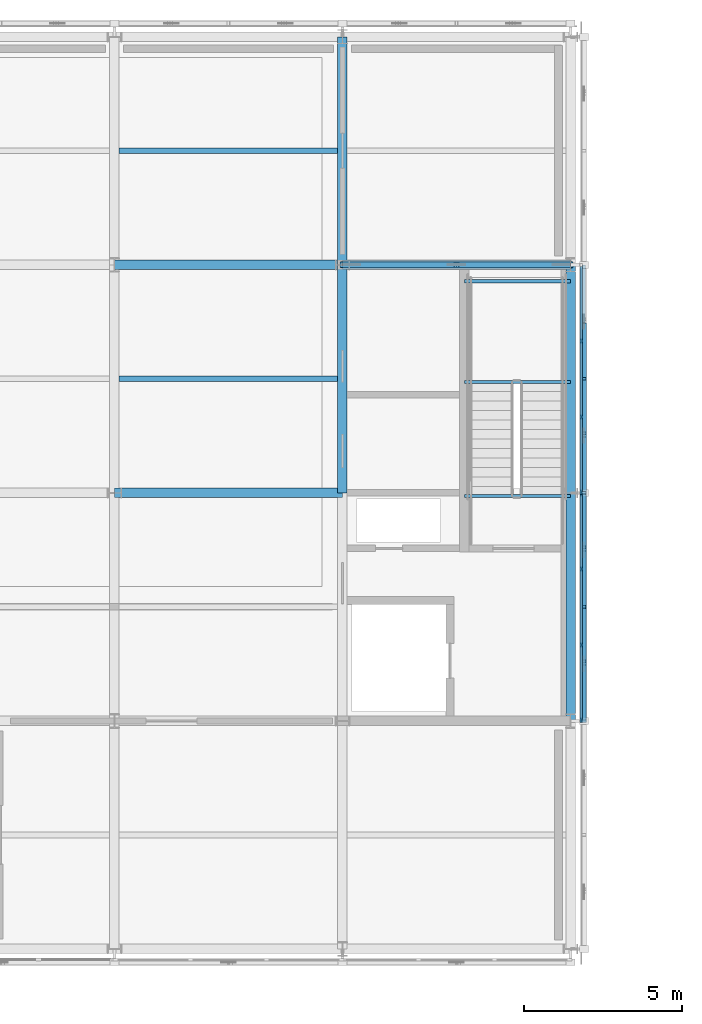
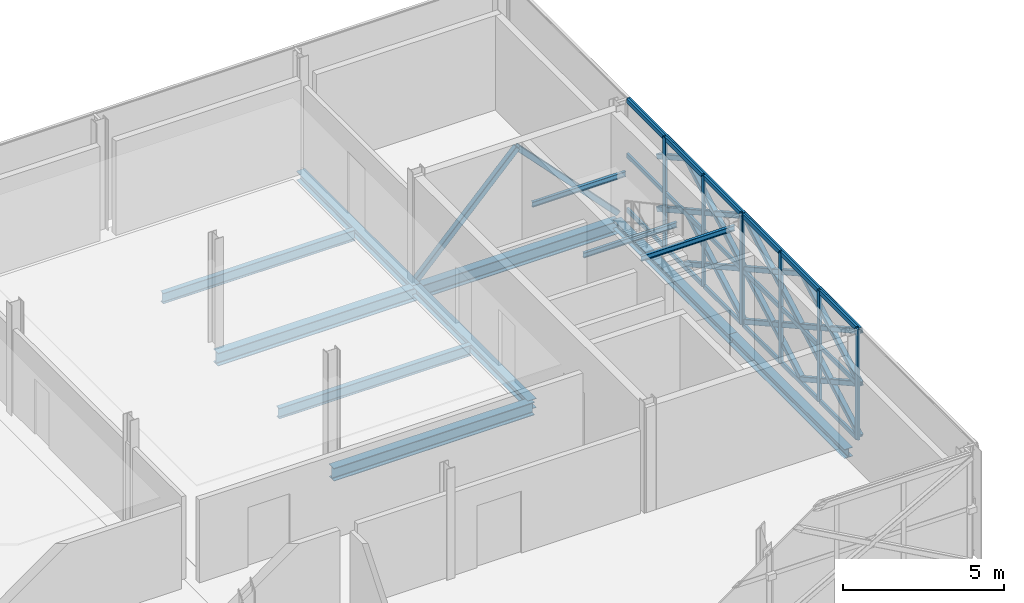
# One storey, part 65 of 146: 49 members, 12 beams, 2 elements without a shape of their own.
"""IFC4 building model written with IfcOpenShell, lengths in metres."""

import ifcopenshell
import ifcopenshell.guid

model = None  # the IFC model being written
_history = None  # IfcOwnerHistory: only IFC2X3 demands one
_inside = {}  # id of a spatial element -> (the spatial element, [elements in it])
_under = {}  # id of a project, library or spatial element -> (it, [spatial elements below it])
_declared = {}  # id of a project -> (the project, [libraries it declares])
_typed = {}  # id of a type object -> (the type object, [elements of that type])
_made_of = {}  # id of a material, layer set ... -> (it, [elements and type objects made of it])


def new_model(schema):
    """Start an empty IFC model of exactly this schema.

    Asked for "IFC4X3", IfcOpenShell would pick the latest addendum, in which some entities
    have other attributes; the version numbers below select the first issue.
    IFC2X3 requires an IfcOwnerHistory on every rooted entity: one is made here for all.
    """
    global model, _history
    if schema == "IFC4X3":
        model = ifcopenshell.file(schema_version=(4, 3, 0, 0))
    else:
        model = ifcopenshell.file(schema=schema)
    _inside.clear()
    _under.clear()
    _declared.clear()
    _typed.clear()
    _made_of.clear()
    _history = None
    if model.schema == "IFC2X3":
        org = make("IfcOrganization", Name="unknown")
        user = make(
            "IfcPersonAndOrganization",
            ThePerson=make("IfcPerson", FamilyName="unknown"),
            TheOrganization=org,
        )
        app = make(
            "IfcApplication",
            ApplicationDeveloper=org,
            Version="unknown",
            ApplicationFullName="unknown",
            ApplicationIdentifier="unknown",
        )
        _history = make(
            "IfcOwnerHistory",
            OwningUser=user,
            OwningApplication=app,
            ChangeAction="ADDED",
            CreationDate=0,
        )
    return model


def make(cls, **values):
    """One entity of the class cls with the attributes given. An attribute that is None is left unset."""
    return model.create_entity(
        cls, **{name: value for name, value in values.items() if value is not None}
    )


def rooted(cls, **values):
    """An entity with a GlobalId (a new one), such as an element, a storey or a relation."""
    return make(cls, GlobalId=ifcopenshell.guid.new(), OwnerHistory=_history, **values)


def si_unit(unit_type, name, prefix=None):
    """IfcSIUnit, for example si_unit("LENGTHUNIT", "METRE", prefix="MILLI")."""
    return make("IfcSIUnit", UnitType=unit_type, Prefix=prefix, Name=name)


def assignment(units):
    """IfcUnitAssignment: the units of a project."""
    return None if units is None else make("IfcUnitAssignment", Units=units)


def point(xyz):
    """IfcCartesianPoint."""
    return None if xyz is None else make("IfcCartesianPoint", Coordinates=xyz)


def direction(xyz):
    """IfcDirection."""
    return None if xyz is None else make("IfcDirection", DirectionRatios=xyz)


def frame(location, z_axis=None, x_axis=None):
    """IfcAxis2Placement3D, a coordinate frame: its origin and axes. An axis left out is left unset."""
    return make(
        "IfcAxis2Placement3D",
        Location=point(location),
        Axis=direction(z_axis),
        RefDirection=direction(x_axis),
    )


def frame_2d(location, x_axis=None):
    """IfcAxis2Placement2D, a coordinate frame in the plane: its origin and x axis."""
    return make(
        "IfcAxis2Placement2D", Location=point(location), RefDirection=direction(x_axis)
    )


def origin():
    """The frame at (0, 0, 0) with its axes left unset."""
    return frame((0.0, 0.0, 0.0))


def origin_2d():
    """The frame at (0, 0) in the plane with its x axis left unset."""
    return frame_2d((0.0, 0.0))


def place(relative_to, where):
    """IfcLocalPlacement: puts the frame where relative to a parent placement (None: the world)."""
    return make(
        "IfcLocalPlacement", PlacementRelTo=relative_to, RelativePlacement=where
    )


def context(
    kind, dimensions, precision=None, world=None, true_north=None, identifier=None
):
    """IfcGeometricRepresentationContext, for example the 3D "Model" context."""
    return make(
        "IfcGeometricRepresentationContext",
        ContextIdentifier=identifier,
        ContextType=kind,
        CoordinateSpaceDimension=dimensions,
        Precision=precision,
        WorldCoordinateSystem=world,
        TrueNorth=true_north,
    )


def subcontext(parent, identifier, kind, view, scale=None):
    """IfcGeometricRepresentationSubContext, for example "Body" below "Model"."""
    return make(
        "IfcGeometricRepresentationSubContext",
        ContextIdentifier=identifier,
        ContextType=kind,
        ParentContext=parent,
        TargetScale=scale,
        TargetView=view,
    )


def project(units=None, contexts=None):
    """IfcProject with its units and contexts."""
    return rooted(
        "IfcProject",
        Name="project",
        RepresentationContexts=contexts,
        UnitsInContext=assignment(units),
    )


def spatial(cls, under=None, at=None, **own):
    """A site, building, storey or space (cls), placed at a placement, below another one or the project."""
    s = rooted(cls, ObjectPlacement=at, **own)
    if under is not None:
        _under.setdefault(under.id(), (under, []))[1].append(s)
    return s


def profile(cls, at=None, kind="AREA", **sizes):
    """A parametric profile (cls). Its sizes go by their IFC names, for example OverallWidth=200.0."""
    return make(cls, ProfileType=kind, Position=at, **sizes)


def rectangle(**sizes):
    """IfcRectangleProfileDef."""
    return profile("IfcRectangleProfileDef", **sizes)


def hollow_rectangle(**sizes):
    """IfcRectangleHollowProfileDef."""
    return profile("IfcRectangleHollowProfileDef", **sizes)


def i_section(**sizes):
    """IfcIShapeProfileDef."""
    return profile("IfcIShapeProfileDef", **sizes)


def extrude(swept, where, along, depth):
    """IfcExtrudedAreaSolid: the profile swept, set in the frame where, extruded along a direction by depth."""
    return make(
        "IfcExtrudedAreaSolid",
        SweptArea=swept,
        Position=where,
        ExtrudedDirection=direction(along),
        Depth=depth,
    )


def shape(context_of_items, identifier, shape_type, items):
    """IfcShapeRepresentation: the items that make up one representation, for example the "Body"."""
    return make(
        "IfcShapeRepresentation",
        ContextOfItems=context_of_items,
        RepresentationIdentifier=identifier,
        RepresentationType=shape_type,
        Items=items,
    )


def material(Name=None, Category=None):
    """IfcMaterial."""
    return make("IfcMaterial", Name=Name, Category=Category)


def material_profile(
    of_material, cross_section, Name=None, Category=None, Priority=None
):
    """IfcMaterialProfile: a cross section and its material."""
    return make(
        "IfcMaterialProfile",
        Name=Name,
        Material=of_material,
        Profile=cross_section,
        Priority=Priority,
        Category=Category,
    )


def profile_set(profiles, Name=None, composite=None):
    """IfcMaterialProfileSet."""
    return make(
        "IfcMaterialProfileSet",
        Name=Name,
        MaterialProfiles=profiles,
        CompositeProfile=composite,
    )


def made_of(thing, what):
    """Note that an element or type object is made of a material, layer set ...; save() writes the relation."""
    if what is not None:
        _made_of.setdefault(what.id(), (what, []))[1].append(thing)
    return thing


def type_object(cls, material=None, **own):
    """A type object (cls), such as IfcWallType, which elements share."""
    return made_of(rooted(cls, **own), material)


def element(
    cls,
    number,
    at=None,
    inside=None,
    cuts=None,
    type_object=None,
    material=None,
    context=None,
    identifier="Body",
    shape_type=None,
    held_by="IfcProductDefinitionShape",
    body=None,
    shapes=None,
    **own,
):
    """One element of the class cls, such as IfcWall. Its Tag is "e" and its number.

    at: its placement. inside: the storey or other place that contains it. cuts: it is an
    opening in that element (IfcRelVoidsElement). A single representation is given by context,
    identifier, shape_type and body (its items); several are given by shapes. held_by: the class
    of the entity that holds the representations. save() writes the other relations.
    """
    e = rooted(cls, Tag="e%d" % number, ObjectPlacement=at, **own)
    if body is not None:
        shapes = [shape(context, identifier, shape_type, body)]
    if shapes is not None:
        e.Representation = make(held_by, Representations=shapes)
    if inside is not None:
        _inside.setdefault(inside.id(), (inside, []))[1].append(e)
    if cuts is not None:
        rooted(
            "IfcRelVoidsElement", RelatingBuildingElement=cuts, RelatedOpeningElement=e
        )
    if type_object is not None:
        _typed.setdefault(type_object.id(), (type_object, []))[1].append(e)
    return made_of(e, material)


def aggregate(whole, parts):
    """IfcRelAggregates: a whole, such as a stair, and the parts it consists of."""
    return rooted("IfcRelAggregates", RelatingObject=whole, RelatedObjects=parts)


def save(model, path):
    """Write the relations noted so far, then the file.

    IfcRelAggregates (storeys below a building ...), IfcRelContainedInSpatialStructure (elements
    in a storey), IfcRelDefinesByType, IfcRelAssociatesMaterial and IfcRelDeclares: one each for
    every whole, place, type object, material and project.
    """
    for whole, parts in _under.values():
        aggregate(whole, parts)
    for where, things in _inside.values():
        rooted(
            "IfcRelContainedInSpatialStructure",
            RelatedElements=things,
            RelatingStructure=where,
        )
    for kind, things in _typed.values():
        rooted("IfcRelDefinesByType", RelatedObjects=things, RelatingType=kind)
    for what, things in _made_of.values():
        rooted("IfcRelAssociatesMaterial", RelatedObjects=things, RelatingMaterial=what)
    for by, libraries in _declared.values():
        rooted("IfcRelDeclares", RelatingContext=by, RelatedDefinitions=libraries)
    model.write(path)


model = new_model("IFC4")

# Units and contexts
model_context = context("Model", 3, precision=1e-05, world=origin(), true_north=direction((0.0, 1.0)))
body_context = subcontext(model_context, "Body", "Model", "MODEL_VIEW")
ifc_project = project(units=[si_unit("LENGTHUNIT", "METRE"), si_unit("AREAUNIT", "SQUARE_METRE"), si_unit("VOLUMEUNIT", "CUBIC_METRE"), si_unit("PLANEANGLEUNIT", "RADIAN"), si_unit("MASSUNIT", "GRAM", prefix="KILO")], contexts=[model_context])

# Site, building, storey
site_placement = place(None, origin())
site = spatial("IfcSite", under=ifc_project, at=site_placement, CompositionType="ELEMENT")
building_placement = place(site_placement, origin())
building = spatial("IfcBuilding", under=site, at=building_placement, Name="Zlatovets Crest Museum", CompositionType="ELEMENT")
storey_placement = place(building_placement, frame((0.0, 0.0, 4.5)))
storey = spatial("IfcBuildingStorey", under=building, at=storey_placement, Name="L01", CompositionType="ELEMENT", Elevation=4.5)

# Beams
ifc_material_1 = material(Name="Structural steel S355J2", Category="steel")
ifc_material_profile_1 = material_profile(ifc_material_1, i_section(OverallWidth=0.300048828125, OverallDepth=0.489990234375, WebThickness=0.011962890625, FlangeThickness=0.02294921875, FilletRadius=0.027099609375, at=origin_2d()), Name="HEA 500")
ifc_profile_set_1 = profile_set([ifc_material_profile_1], Name="Structural steel S355J2")
beam_type_1 = type_object("IfcBeamType", Name="Beam_B-01", PredefinedType="BEAM", material=ifc_profile_set_1)
for number, where, z_axis, x_axis, name in (
    (1, (93.60009765625, 100.800048828125, -0.465087890625), (1.0, 0.0, 0.0), (0.0, 1.0, 0.0), "V1 L01 Primary Girder B-01"),
    (2, (93.60009765625, 108.0, -0.465087890625), (1.0, 0.0, 0.0), (0.0, 1.0, 0.0), "V1 L01 Primary Girder B-01"),
    (3, (100.800048828125, 108.0, -0.465087890625), (1.0, 0.0, 0.0), (0.0, 1.0, 0.0), "V1 L01 Primary Girder B-01"),
):
    element("IfcBeam", number, at=place(storey_placement, frame(where, z_axis=z_axis, x_axis=x_axis)), inside=storey, type_object=beam_type_1, Name=name, PredefinedType="BEAM", context=body_context, shape_type="SweptSolid", body=[
        extrude(i_section(OverallWidth=0.300048828125, OverallDepth=0.489990234375, WebThickness=0.011962890625, FlangeThickness=0.02294921875, FilletRadius=0.027099609375, at=origin_2d()), origin(), (0.0, 0.0, 1.0), 7.199951171875),
    ])
ifc_material_profile_2 = material_profile(ifc_material_1, i_section(OverallWidth=0.300048828125, OverallDepth=0.35009765625, WebThickness=0.010009765625, FlangeThickness=0.017578125, FilletRadius=0.027099609375, at=origin_2d()), Name="HEA 360")
ifc_profile_set_2 = profile_set([ifc_material_profile_2], Name="Structural steel S355J2")
beam_type_2 = type_object("IfcBeamType", Name="Beam_B-03", PredefinedType="BEAM", material=ifc_profile_set_2)
for number, where, z_axis, x_axis, name in (
    (4, (100.800048828125, 100.800048828125, -0.39501953125), (0.0, 1.0, 0.0), (-1.0, 0.0, 0.0), "V1 L01 Grid Beam B-03"),
    (5, (100.800048828125, 108.0, -0.39501953125), (0.0, 1.0, 0.0), (-1.0, 0.0, 0.0), "V1 L01 Grid Beam B-03"),
    (6, (108.0, 93.60009765625, -0.39501953125), (0.0, 1.0, 0.0), (-1.0, 0.0, 0.0), "V1 L01 Grid Beam B-03"),
    (7, (108.0, 100.800048828125, -0.39501953125), (0.0, 1.0, 0.0), (-1.0, 0.0, 0.0), "V1 L01 Grid Beam B-03"),
):
    element("IfcBeam", number, at=place(storey_placement, frame(where, z_axis=z_axis, x_axis=x_axis)), inside=storey, type_object=beam_type_2, Name=name, PredefinedType="BEAM", context=body_context, shape_type="SweptSolid", body=[
        extrude(i_section(OverallWidth=0.300048828125, OverallDepth=0.35009765625, WebThickness=0.010009765625, FlangeThickness=0.017578125, FilletRadius=0.027099609375, at=origin_2d()), origin(), (0.0, 0.0, 1.0), 7.199951171875),
    ])
ifc_material_profile_3 = material_profile(ifc_material_1, i_section(OverallWidth=0.179931640625, OverallDepth=0.39990234375, WebThickness=0.008544921875, FlangeThickness=0.013427734375, FilletRadius=0.02099609375, at=origin_2d()), Name="IPE 400")
ifc_profile_set_3 = profile_set([ifc_material_profile_3], Name="Structural steel S355J2")
beam_type_3 = type_object("IfcBeamType", Name="Beam_J-04", PredefinedType="JOIST", material=ifc_profile_set_3)
for number, where, z_axis, x_axis, name in (
    (8, (93.75, 104.39990234375, -0.419921875), (1.0, 0.0, 0.0), (0.0, 1.0, 0.0), "V1 L01 Composite Joist J-04"),
    (9, (93.75, 111.60009765625, -0.419921875), (1.0, 0.0, 0.0), (0.0, 1.0, 0.0), "V1 L01 Composite Joist J-04"),
):
    element("IfcBeam", number, at=place(storey_placement, frame(where, z_axis=z_axis, x_axis=x_axis)), inside=storey, type_object=beam_type_3, Name=name, PredefinedType="JOIST", context=body_context, shape_type="SweptSolid", body=[
        extrude(i_section(OverallWidth=0.179931640625, OverallDepth=0.39990234375, WebThickness=0.008544921875, FlangeThickness=0.013427734375, FilletRadius=0.02099609375, at=origin_2d()), origin(), (0.0, 0.0, 1.0), 6.89990234375),
    ])
ifc_material_profile_4 = material_profile(ifc_material_1, i_section(OverallWidth=0.10009765625, OverallDepth=0.199951171875, WebThickness=0.005615234375, FlangeThickness=0.008544921875, FilletRadius=0.011962890625, at=origin_2d()), Name="IPE 200")
ifc_profile_set_4 = profile_set([ifc_material_profile_4], Name="Structural steel S355J2")
beam_type_4 = type_object("IfcBeamType", Name="Beam_PR-02", PredefinedType="LINTEL", material=ifc_profile_set_4)
for number, where, z_axis, x_axis, name in (
    (10, (104.64990234375, 100.699951171875, 3.860107421875), (1.0, 0.0, 0.0), (0.0, 1.0, 0.0), "Core C6 L01 Stair Well Header Beam"),
    (11, (104.64990234375, 104.300048828125, 1.800048828125), (1.0, 0.0, 0.0), (0.0, 1.0, 0.0), "Core C6 L01 Half-Landing Support Beam"),
    (12, (104.64990234375, 107.47998046875, 1.800048828125), (1.0, 0.0, 0.0), (0.0, 1.0, 0.0), "Core C6 L01 Half-Landing Support Beam"),
):
    element("IfcBeam", number, at=place(storey_placement, frame(where, z_axis=z_axis, x_axis=x_axis)), inside=storey, type_object=beam_type_4, Name=name, PredefinedType="LINTEL", context=body_context, shape_type="SweptSolid", body=[
        extrude(i_section(OverallWidth=0.10009765625, OverallDepth=0.199951171875, WebThickness=0.005615234375, FlangeThickness=0.008544921875, FilletRadius=0.011962890625, at=origin_2d()), origin(), (0.0, 0.0, 1.0), 3.35009765625),
    ])

# Curtain wall, members
ifc_material_2 = material(Name="Bronze-anodised aluminium and low-E triple glass", Category="aluminium")
curtain_wall_type_1 = type_object("IfcCurtainWallType", Name="CW_CW-V1-L01-M0", PredefinedType="NOTDEFINED", material=ifc_material_2)
curtain_wall_1_placement = place(storey_placement, origin())
curtain_wall_1 = element("IfcCurtainWall", 13, at=curtain_wall_1_placement, inside=storey, type_object=curtain_wall_type_1, Name="V1 L01 Expressed Core Glazed Facade", PredefinedType="NOTDEFINED")
ifc_material_3 = material(Name="Bronze-anodised aluminium EN AW-6060", Category="aluminium")
ifc_material_profile_5 = material_profile(ifc_material_3, rectangle(XDim=0.080078125, YDim=0.159912109375, at=origin_2d()), Name="ALU 80x160")
ifc_profile_set_5 = profile_set([ifc_material_profile_5], Name="Bronze-anodised aluminium EN AW-6060")
member_type_1 = type_object("IfcMemberType", Name="CWMull_M1", PredefinedType="MULLION", material=ifc_profile_set_5)
member_1_placement = place(storey_placement, frame((108.340087890625, 93.6298828125, 0.0), z_axis=(0.0, 0.0, 1.0), x_axis=(-1.0, 0.0, 0.0)))
member_1 = element("IfcMember", 14, at=member_1_placement, type_object=member_type_1, Name="CW-V1-L01-M0 mullion 1", PredefinedType="MULLION", context=body_context, shape_type="SweptSolid", body=[
    extrude(rectangle(XDim=0.080078125, YDim=0.159912109375, at=origin_2d()), origin(), (0.0, 0.0, 1.0), 4.199951171875),
])
member_2_placement = place(storey_placement, frame((108.340087890625, 96.0, 0.0), z_axis=(0.0, 0.0, 1.0), x_axis=(-1.0, 0.0, 0.0)))
member_2 = element("IfcMember", 15, at=member_2_placement, type_object=member_type_1, Name="CW-V1-L01-M0 mullion 2", PredefinedType="MULLION", context=body_context, shape_type="SweptSolid", body=[
    extrude(rectangle(XDim=0.080078125, YDim=0.159912109375, at=origin_2d()), origin(), (0.0, 0.0, 1.0), 4.199951171875),
])
member_3_placement = place(storey_placement, frame((108.340087890625, 98.39990234375, 0.0), z_axis=(0.0, 0.0, 1.0), x_axis=(-1.0, 0.0, 0.0)))
member_3 = element("IfcMember", 16, at=member_3_placement, type_object=member_type_1, Name="CW-V1-L01-M0 mullion 3", PredefinedType="MULLION", context=body_context, shape_type="SweptSolid", body=[
    extrude(rectangle(XDim=0.080078125, YDim=0.159912109375, at=origin_2d()), origin(), (0.0, 0.0, 1.0), 4.199951171875),
])
member_4_placement = place(storey_placement, frame((108.340087890625, 100.77001953125, 0.0), z_axis=(0.0, 0.0, 1.0), x_axis=(-1.0, 0.0, 0.0)))
member_4 = element("IfcMember", 17, at=member_4_placement, type_object=member_type_1, Name="CW-V1-L01-M0 mullion 4", PredefinedType="MULLION", context=body_context, shape_type="SweptSolid", body=[
    extrude(rectangle(XDim=0.080078125, YDim=0.159912109375, at=origin_2d()), origin(), (0.0, 0.0, 1.0), 4.199951171875),
])

curtain_wall_type_2 = type_object("IfcCurtainWallType", Name="CW_CW-V1-L01-M1", PredefinedType="NOTDEFINED", material=ifc_material_2)
curtain_wall_2_placement = place(storey_placement, origin())
curtain_wall_2 = element("IfcCurtainWall", 18, at=curtain_wall_2_placement, inside=storey, type_object=curtain_wall_type_2, Name="V1 L01 Expressed Core Glazed Facade", PredefinedType="NOTDEFINED")
member_5_placement = place(storey_placement, frame((108.340087890625, 100.830078125, 0.0), z_axis=(0.0, 0.0, 1.0), x_axis=(-1.0, 0.0, 0.0)))
member_5 = element("IfcMember", 19, at=member_5_placement, type_object=member_type_1, Name="CW-V1-L01-M1 mullion 1", PredefinedType="MULLION", context=body_context, shape_type="SweptSolid", body=[
    extrude(rectangle(XDim=0.080078125, YDim=0.159912109375, at=origin_2d()), origin(), (0.0, 0.0, 1.0), 4.199951171875),
])
member_6_placement = place(storey_placement, frame((108.340087890625, 103.199951171875, 0.0), z_axis=(0.0, 0.0, 1.0), x_axis=(-1.0, 0.0, 0.0)))
member_6 = element("IfcMember", 20, at=member_6_placement, type_object=member_type_1, Name="CW-V1-L01-M1 mullion 2", PredefinedType="MULLION", context=body_context, shape_type="SweptSolid", body=[
    extrude(rectangle(XDim=0.080078125, YDim=0.159912109375, at=origin_2d()), origin(), (0.0, 0.0, 1.0), 4.199951171875),
])
member_7_placement = place(storey_placement, frame((108.340087890625, 105.60009765625, 0.0), z_axis=(0.0, 0.0, 1.0), x_axis=(-1.0, 0.0, 0.0)))
member_7 = element("IfcMember", 21, at=member_7_placement, type_object=member_type_1, Name="CW-V1-L01-M1 mullion 3", PredefinedType="MULLION", context=body_context, shape_type="SweptSolid", body=[
    extrude(rectangle(XDim=0.080078125, YDim=0.159912109375, at=origin_2d()), origin(), (0.0, 0.0, 1.0), 4.199951171875),
])

# Member
ifc_material_profile_6 = material_profile(ifc_material_3, rectangle(XDim=0.080078125, YDim=0.159912109375, at=origin_2d()), Name="ALU 80x160")
ifc_profile_set_6 = profile_set([ifc_material_profile_6], Name="Bronze-anodised aluminium EN AW-6060")
member_type_2 = type_object("IfcMemberType", Name="CWTrans_T1", PredefinedType="USERDEFINED", material=ifc_profile_set_6)
member_8_placement = place(storey_placement, frame((108.340087890625, 93.659912109375, 0.030029296875), z_axis=(0.0, 1.0, 0.0), x_axis=(-1.0, 0.0, 0.0)))
member_8 = element("IfcMember", 22, at=member_8_placement, type_object=member_type_2, Name="CW-V1-L01-M0 transom 1.1", ObjectType="TRANSOM", PredefinedType="USERDEFINED", context=body_context, shape_type="SweptSolid", body=[
    extrude(rectangle(XDim=0.080078125, YDim=0.159912109375, at=origin_2d()), origin(), (0.0, 0.0, 1.0), 2.31005859375),
])

member_9_placement = place(storey_placement, frame((108.340087890625, 93.659912109375, 2.10009765625), z_axis=(0.0, 1.0, 0.0), x_axis=(-1.0, 0.0, 0.0)))
member_9 = element("IfcMember", 23, at=member_9_placement, type_object=member_type_2, Name="CW-V1-L01-M0 transom 1.2", ObjectType="TRANSOM", PredefinedType="USERDEFINED", context=body_context, shape_type="SweptSolid", body=[
    extrude(rectangle(XDim=0.080078125, YDim=0.159912109375, at=origin_2d()), origin(), (0.0, 0.0, 1.0), 2.31005859375),
])

member_10_placement = place(storey_placement, frame((108.340087890625, 93.659912109375, 4.169921875), z_axis=(0.0, 1.0, 0.0), x_axis=(-1.0, 0.0, 0.0)))
member_10 = element("IfcMember", 24, at=member_10_placement, type_object=member_type_2, Name="CW-V1-L01-M0 transom 1.3", ObjectType="TRANSOM", PredefinedType="USERDEFINED", context=body_context, shape_type="SweptSolid", body=[
    extrude(rectangle(XDim=0.080078125, YDim=0.159912109375, at=origin_2d()), origin(), (0.0, 0.0, 1.0), 2.31005859375),
])

member_11_placement = place(storey_placement, frame((108.340087890625, 96.030029296875, 0.030029296875), z_axis=(0.0, 1.0, 0.0), x_axis=(-1.0, 0.0, 0.0)))
member_11 = element("IfcMember", 25, at=member_11_placement, type_object=member_type_2, Name="CW-V1-L01-M0 transom 2.1", ObjectType="TRANSOM", PredefinedType="USERDEFINED", context=body_context, shape_type="SweptSolid", body=[
    extrude(rectangle(XDim=0.080078125, YDim=0.159912109375, at=origin_2d()), origin(), (0.0, 0.0, 1.0), 2.340087890625),
])

member_12_placement = place(storey_placement, frame((108.340087890625, 96.030029296875, 2.10009765625), z_axis=(0.0, 1.0, 0.0), x_axis=(-1.0, 0.0, 0.0)))
member_12 = element("IfcMember", 26, at=member_12_placement, type_object=member_type_2, Name="CW-V1-L01-M0 transom 2.2", ObjectType="TRANSOM", PredefinedType="USERDEFINED", context=body_context, shape_type="SweptSolid", body=[
    extrude(rectangle(XDim=0.080078125, YDim=0.159912109375, at=origin_2d()), origin(), (0.0, 0.0, 1.0), 2.340087890625),
])

member_13_placement = place(storey_placement, frame((108.340087890625, 96.030029296875, 4.169921875), z_axis=(0.0, 1.0, 0.0), x_axis=(-1.0, 0.0, 0.0)))
member_13 = element("IfcMember", 27, at=member_13_placement, type_object=member_type_2, Name="CW-V1-L01-M0 transom 2.3", ObjectType="TRANSOM", PredefinedType="USERDEFINED", context=body_context, shape_type="SweptSolid", body=[
    extrude(rectangle(XDim=0.080078125, YDim=0.159912109375, at=origin_2d()), origin(), (0.0, 0.0, 1.0), 2.340087890625),
])

member_14_placement = place(storey_placement, frame((108.340087890625, 98.429931640625, 0.030029296875), z_axis=(0.0, 1.0, 0.0), x_axis=(-1.0, 0.0, 0.0)))
member_14 = element("IfcMember", 28, at=member_14_placement, type_object=member_type_2, Name="CW-V1-L01-M0 transom 3.1", ObjectType="TRANSOM", PredefinedType="USERDEFINED", context=body_context, shape_type="SweptSolid", body=[
    extrude(rectangle(XDim=0.080078125, YDim=0.159912109375, at=origin_2d()), origin(), (0.0, 0.0, 1.0), 2.31005859375),
])

member_15_placement = place(storey_placement, frame((108.340087890625, 98.429931640625, 2.10009765625), z_axis=(0.0, 1.0, 0.0), x_axis=(-1.0, 0.0, 0.0)))
member_15 = element("IfcMember", 29, at=member_15_placement, type_object=member_type_2, Name="CW-V1-L01-M0 transom 3.2", ObjectType="TRANSOM", PredefinedType="USERDEFINED", context=body_context, shape_type="SweptSolid", body=[
    extrude(rectangle(XDim=0.080078125, YDim=0.159912109375, at=origin_2d()), origin(), (0.0, 0.0, 1.0), 2.31005859375),
])

member_16_placement = place(storey_placement, frame((108.340087890625, 98.429931640625, 4.169921875), z_axis=(0.0, 1.0, 0.0), x_axis=(-1.0, 0.0, 0.0)))
member_16 = element("IfcMember", 30, at=member_16_placement, type_object=member_type_2, Name="CW-V1-L01-M0 transom 3.3", ObjectType="TRANSOM", PredefinedType="USERDEFINED", context=body_context, shape_type="SweptSolid", body=[
    extrude(rectangle(XDim=0.080078125, YDim=0.159912109375, at=origin_2d()), origin(), (0.0, 0.0, 1.0), 2.31005859375),
])

aggregate(curtain_wall_1, [member_1, member_2, member_3, member_4, member_8, member_9, member_10, member_11, member_12, member_13, member_14, member_15, member_16])

member_17_placement = place(storey_placement, frame((108.340087890625, 100.860107421875, 0.030029296875), z_axis=(0.0, 1.0, 0.0), x_axis=(-1.0, 0.0, 0.0)))
member_17 = element("IfcMember", 31, at=member_17_placement, type_object=member_type_2, Name="CW-V1-L01-M1 transom 1.1", ObjectType="TRANSOM", PredefinedType="USERDEFINED", context=body_context, shape_type="SweptSolid", body=[
    extrude(rectangle(XDim=0.080078125, YDim=0.159912109375, at=origin_2d()), origin(), (0.0, 0.0, 1.0), 2.309814453125),
])

member_18_placement = place(storey_placement, frame((108.340087890625, 100.860107421875, 2.10009765625), z_axis=(0.0, 1.0, 0.0), x_axis=(-1.0, 0.0, 0.0)))
member_18 = element("IfcMember", 32, at=member_18_placement, type_object=member_type_2, Name="CW-V1-L01-M1 transom 1.2", ObjectType="TRANSOM", PredefinedType="USERDEFINED", context=body_context, shape_type="SweptSolid", body=[
    extrude(rectangle(XDim=0.080078125, YDim=0.159912109375, at=origin_2d()), origin(), (0.0, 0.0, 1.0), 2.309814453125),
])

member_19_placement = place(storey_placement, frame((108.340087890625, 100.860107421875, 4.169921875), z_axis=(0.0, 1.0, 0.0), x_axis=(-1.0, 0.0, 0.0)))
member_19 = element("IfcMember", 33, at=member_19_placement, type_object=member_type_2, Name="CW-V1-L01-M1 transom 1.3", ObjectType="TRANSOM", PredefinedType="USERDEFINED", context=body_context, shape_type="SweptSolid", body=[
    extrude(rectangle(XDim=0.080078125, YDim=0.159912109375, at=origin_2d()), origin(), (0.0, 0.0, 1.0), 2.309814453125),
])

member_20_placement = place(storey_placement, frame((108.340087890625, 103.22998046875, 0.030029296875), z_axis=(0.0, 1.0, 0.0), x_axis=(-1.0, 0.0, 0.0)))
member_20 = element("IfcMember", 34, at=member_20_placement, type_object=member_type_2, Name="CW-V1-L01-M1 transom 2.1", ObjectType="TRANSOM", PredefinedType="USERDEFINED", context=body_context, shape_type="SweptSolid", body=[
    extrude(rectangle(XDim=0.080078125, YDim=0.159912109375, at=origin_2d()), origin(), (0.0, 0.0, 1.0), 2.340087890625),
])

member_21_placement = place(storey_placement, frame((108.340087890625, 103.22998046875, 2.10009765625), z_axis=(0.0, 1.0, 0.0), x_axis=(-1.0, 0.0, 0.0)))
member_21 = element("IfcMember", 35, at=member_21_placement, type_object=member_type_2, Name="CW-V1-L01-M1 transom 2.2", ObjectType="TRANSOM", PredefinedType="USERDEFINED", context=body_context, shape_type="SweptSolid", body=[
    extrude(rectangle(XDim=0.080078125, YDim=0.159912109375, at=origin_2d()), origin(), (0.0, 0.0, 1.0), 2.340087890625),
])

member_22_placement = place(storey_placement, frame((108.340087890625, 103.22998046875, 4.169921875), z_axis=(0.0, 1.0, 0.0), x_axis=(-1.0, 0.0, 0.0)))
member_22 = element("IfcMember", 36, at=member_22_placement, type_object=member_type_2, Name="CW-V1-L01-M1 transom 2.3", ObjectType="TRANSOM", PredefinedType="USERDEFINED", context=body_context, shape_type="SweptSolid", body=[
    extrude(rectangle(XDim=0.080078125, YDim=0.159912109375, at=origin_2d()), origin(), (0.0, 0.0, 1.0), 2.340087890625),
])

member_23_placement = place(storey_placement, frame((108.340087890625, 105.6298828125, 0.030029296875), z_axis=(0.0, 1.0, 0.0), x_axis=(-1.0, 0.0, 0.0)))
member_23 = element("IfcMember", 37, at=member_23_placement, type_object=member_type_2, Name="CW-V1-L01-M1 transom 3.1", ObjectType="TRANSOM", PredefinedType="USERDEFINED", context=body_context, shape_type="SweptSolid", body=[
    extrude(rectangle(XDim=0.080078125, YDim=0.159912109375, at=origin_2d()), origin(), (0.0, 0.0, 1.0), 2.31005859375),
])

member_24_placement = place(storey_placement, frame((108.340087890625, 105.6298828125, 2.10009765625), z_axis=(0.0, 1.0, 0.0), x_axis=(-1.0, 0.0, 0.0)))
member_24 = element("IfcMember", 38, at=member_24_placement, type_object=member_type_2, Name="CW-V1-L01-M1 transom 3.2", ObjectType="TRANSOM", PredefinedType="USERDEFINED", context=body_context, shape_type="SweptSolid", body=[
    extrude(rectangle(XDim=0.080078125, YDim=0.159912109375, at=origin_2d()), origin(), (0.0, 0.0, 1.0), 2.31005859375),
])

member_25_placement = place(storey_placement, frame((108.340087890625, 105.6298828125, 4.169921875), z_axis=(0.0, 1.0, 0.0), x_axis=(-1.0, 0.0, 0.0)))
member_25 = element("IfcMember", 39, at=member_25_placement, type_object=member_type_2, Name="CW-V1-L01-M1 transom 3.3", ObjectType="TRANSOM", PredefinedType="USERDEFINED", context=body_context, shape_type="SweptSolid", body=[
    extrude(rectangle(XDim=0.080078125, YDim=0.159912109375, at=origin_2d()), origin(), (0.0, 0.0, 1.0), 2.31005859375),
])

aggregate(curtain_wall_2, [member_5, member_6, member_7, member_17, member_18, member_19, member_20, member_21, member_22, member_23, member_24, member_25])

# Members
ifc_material_4 = material(Name="Weathering bronze-steel S355J2W", Category="steel")
ifc_material_profile_7 = material_profile(ifc_material_4, hollow_rectangle(XDim=0.179931640625, YDim=0.179931640625, WallThickness=0.010009765625, InnerFilletRadius=0.010009765625, OuterFilletRadius=0.02001953125, at=origin_2d()), Name="SHS 180x180x10.0")
ifc_profile_set_7 = profile_set([ifc_material_profile_7], Name="Weathering bronze-steel S355J2W")
member_type_3 = type_object("IfcMemberType", Name="Lattice_XL-01", PredefinedType="BRACE", material=ifc_profile_set_7)
member_26_placement = place(storey_placement, frame((108.419921875, 93.60009765625, 0.10009765625), z_axis=(0.0, 0.874148886685, 0.485658031857), x_axis=(-1.0, 0.0, 0.0)))
element("IfcMember", 40, at=member_26_placement, inside=storey, type_object=member_type_3, Name="Continuous Bronze Lattice Diagonal", PredefinedType="BRACE", context=body_context, shape_type="SweptSolid", body=[
    extrude(hollow_rectangle(XDim=0.179931640625, YDim=0.179931640625, WallThickness=0.010009765625, InnerFilletRadius=0.010009765625, OuterFilletRadius=0.02001953125, at=origin_2d()), origin(), (0.0, 0.0, 1.0), 4.1181640625),
])
for number, where, z_axis, x_axis, name in (
    (41, (108.419921875, 93.60009765625, 2.10009765625), (0.0, 0.874086907708, -0.485769572713), (-1.0, 0.0, 0.0), "Split Crossing Bronze Lattice Diagonal Upper"),
    (42, (108.419921875, 95.48291015625, 1.053955078125), (0.0, 0.874169001841, -0.485621824284), (-1.0, 0.0, 0.0), "Split Crossing Bronze Lattice Diagonal Lower"),
):
    element("IfcMember", number, at=place(storey_placement, frame(where, z_axis=z_axis, x_axis=x_axis)), inside=storey, type_object=member_type_3, Name=name, PredefinedType="BRACE", context=body_context, shape_type="SweptSolid", body=[
        extrude(hollow_rectangle(XDim=0.179931640625, YDim=0.179931640625, WallThickness=0.010009765625, InnerFilletRadius=0.010009765625, OuterFilletRadius=0.02001953125, at=origin_2d()), origin(), (0.0, 0.0, 1.0), 1.964111328125),
    ])
member_27_placement = place(storey_placement, frame((108.419921875, 97.199951171875, 0.10009765625), z_axis=(0.0, 0.874162868644, 0.485632864501), x_axis=(-1.0, 0.0, 0.0)))
element("IfcMember", 43, at=member_27_placement, inside=storey, type_object=member_type_3, Name="Continuous Bronze Lattice Diagonal", PredefinedType="BRACE", context=body_context, shape_type="SweptSolid", body=[
    extrude(hollow_rectangle(XDim=0.179931640625, YDim=0.179931640625, WallThickness=0.010009765625, InnerFilletRadius=0.010009765625, OuterFilletRadius=0.02001953125, at=origin_2d()), origin(), (0.0, 0.0, 1.0), 4.118408203125),
])
member_28_placement = place(storey_placement, frame((108.419921875, 97.199951171875, 2.10009765625), z_axis=(0.0, 0.874116234569, -0.48571679862), x_axis=(-1.0, 0.0, 0.0)))
element("IfcMember", 44, at=member_28_placement, inside=storey, type_object=member_type_3, Name="Split Crossing Bronze Lattice Diagonal Upper", PredefinedType="BRACE", context=body_context, shape_type="SweptSolid", body=[
    extrude(hollow_rectangle(XDim=0.179931640625, YDim=0.179931640625, WallThickness=0.010009765625, InnerFilletRadius=0.010009765625, OuterFilletRadius=0.02001953125, at=origin_2d()), origin(), (0.0, 0.0, 1.0), 1.96435546875),
])
member_29_placement = place(storey_placement, frame((108.419921875, 99.0830078125, 1.053955078125), z_axis=(0.0, 0.874169001841, -0.485621824284), x_axis=(-1.0, 0.0, 0.0)))
element("IfcMember", 45, at=member_29_placement, inside=storey, type_object=member_type_3, Name="Split Crossing Bronze Lattice Diagonal Lower", PredefinedType="BRACE", context=body_context, shape_type="SweptSolid", body=[
    extrude(hollow_rectangle(XDim=0.179931640625, YDim=0.179931640625, WallThickness=0.010009765625, InnerFilletRadius=0.010009765625, OuterFilletRadius=0.02001953125, at=origin_2d()), origin(), (0.0, 0.0, 1.0), 1.964111328125),
])
member_30_placement = place(storey_placement, frame((108.419921875, 93.60009765625, 2.10009765625), z_axis=(0.0, 0.874148886685, 0.485658031857), x_axis=(-1.0, 0.0, 0.0)))
element("IfcMember", 46, at=member_30_placement, inside=storey, type_object=member_type_3, Name="Continuous Bronze Lattice Diagonal", PredefinedType="BRACE", context=body_context, shape_type="SweptSolid", body=[
    extrude(hollow_rectangle(XDim=0.179931640625, YDim=0.179931640625, WallThickness=0.010009765625, InnerFilletRadius=0.010009765625, OuterFilletRadius=0.02001953125, at=origin_2d()), origin(), (0.0, 0.0, 1.0), 4.1181640625),
])
for number, where, z_axis, x_axis, name in (
    (47, (108.419921875, 93.60009765625, 4.10009765625), (0.0, 0.874086907708, -0.485769572713), (-1.0, 0.0, 0.0), "Split Crossing Bronze Lattice Diagonal Upper"),
    (48, (108.419921875, 95.48291015625, 3.053955078125), (0.0, 0.874169001841, -0.485621824284), (-1.0, 0.0, 0.0), "Split Crossing Bronze Lattice Diagonal Lower"),
):
    element("IfcMember", number, at=place(storey_placement, frame(where, z_axis=z_axis, x_axis=x_axis)), inside=storey, type_object=member_type_3, Name=name, PredefinedType="BRACE", context=body_context, shape_type="SweptSolid", body=[
        extrude(hollow_rectangle(XDim=0.179931640625, YDim=0.179931640625, WallThickness=0.010009765625, InnerFilletRadius=0.010009765625, OuterFilletRadius=0.02001953125, at=origin_2d()), origin(), (0.0, 0.0, 1.0), 1.964111328125),
    ])
member_31_placement = place(storey_placement, frame((108.419921875, 97.199951171875, 2.10009765625), z_axis=(0.0, 0.874162868644, 0.485632864501), x_axis=(-1.0, 0.0, 0.0)))
element("IfcMember", 49, at=member_31_placement, inside=storey, type_object=member_type_3, Name="Continuous Bronze Lattice Diagonal", PredefinedType="BRACE", context=body_context, shape_type="SweptSolid", body=[
    extrude(hollow_rectangle(XDim=0.179931640625, YDim=0.179931640625, WallThickness=0.010009765625, InnerFilletRadius=0.010009765625, OuterFilletRadius=0.02001953125, at=origin_2d()), origin(), (0.0, 0.0, 1.0), 4.118408203125),
])
member_32_placement = place(storey_placement, frame((108.419921875, 97.199951171875, 4.10009765625), z_axis=(0.0, 0.874116234569, -0.48571679862), x_axis=(-1.0, 0.0, 0.0)))
element("IfcMember", 50, at=member_32_placement, inside=storey, type_object=member_type_3, Name="Split Crossing Bronze Lattice Diagonal Upper", PredefinedType="BRACE", context=body_context, shape_type="SweptSolid", body=[
    extrude(hollow_rectangle(XDim=0.179931640625, YDim=0.179931640625, WallThickness=0.010009765625, InnerFilletRadius=0.010009765625, OuterFilletRadius=0.02001953125, at=origin_2d()), origin(), (0.0, 0.0, 1.0), 1.96435546875),
])
member_33_placement = place(storey_placement, frame((108.419921875, 99.0830078125, 3.053955078125), z_axis=(0.0, 0.874169001841, -0.485621824284), x_axis=(-1.0, 0.0, 0.0)))
element("IfcMember", 51, at=member_33_placement, inside=storey, type_object=member_type_3, Name="Split Crossing Bronze Lattice Diagonal Lower", PredefinedType="BRACE", context=body_context, shape_type="SweptSolid", body=[
    extrude(hollow_rectangle(XDim=0.179931640625, YDim=0.179931640625, WallThickness=0.010009765625, InnerFilletRadius=0.010009765625, OuterFilletRadius=0.02001953125, at=origin_2d()), origin(), (0.0, 0.0, 1.0), 1.964111328125),
])
member_34_placement = place(storey_placement, frame((108.419921875, 100.800048828125, 0.10009765625), z_axis=(0.0, 0.874148886685, 0.485658031857), x_axis=(-1.0, 0.0, 0.0)))
element("IfcMember", 52, at=member_34_placement, inside=storey, type_object=member_type_3, Name="Continuous Bronze Lattice Diagonal", PredefinedType="BRACE", context=body_context, shape_type="SweptSolid", body=[
    extrude(hollow_rectangle(XDim=0.179931640625, YDim=0.179931640625, WallThickness=0.010009765625, InnerFilletRadius=0.010009765625, OuterFilletRadius=0.02001953125, at=origin_2d()), origin(), (0.0, 0.0, 1.0), 4.1181640625),
])
member_35_placement = place(storey_placement, frame((108.419921875, 100.800048828125, 2.10009765625), z_axis=(0.0, 0.874116234569, -0.48571679862), x_axis=(-1.0, 0.0, 0.0)))
element("IfcMember", 53, at=member_35_placement, inside=storey, type_object=member_type_3, Name="Split Crossing Bronze Lattice Diagonal Upper", PredefinedType="BRACE", context=body_context, shape_type="SweptSolid", body=[
    extrude(hollow_rectangle(XDim=0.179931640625, YDim=0.179931640625, WallThickness=0.010009765625, InnerFilletRadius=0.010009765625, OuterFilletRadius=0.02001953125, at=origin_2d()), origin(), (0.0, 0.0, 1.0), 1.96435546875),
])
member_36_placement = place(storey_placement, frame((108.419921875, 102.68310546875, 1.053955078125), z_axis=(0.0, 0.874139684676, -0.48567459443), x_axis=(-1.0, 0.0, 0.0)))
element("IfcMember", 54, at=member_36_placement, inside=storey, type_object=member_type_3, Name="Split Crossing Bronze Lattice Diagonal Lower", PredefinedType="BRACE", context=body_context, shape_type="SweptSolid", body=[
    extrude(hollow_rectangle(XDim=0.179931640625, YDim=0.179931640625, WallThickness=0.010009765625, InnerFilletRadius=0.010009765625, OuterFilletRadius=0.02001953125, at=origin_2d()), origin(), (0.0, 0.0, 1.0), 1.9638671875),
])
member_37_placement = place(storey_placement, frame((108.419921875, 104.39990234375, 2.10009765625), z_axis=(0.0, 0.874116234569, -0.48571679862), x_axis=(-1.0, 0.0, 0.0)))
element("IfcMember", 55, at=member_37_placement, inside=storey, type_object=member_type_3, Name="Split Crossing Bronze Lattice Diagonal Upper", PredefinedType="BRACE", context=body_context, shape_type="SweptSolid", body=[
    extrude(hollow_rectangle(XDim=0.179931640625, YDim=0.179931640625, WallThickness=0.010009765625, InnerFilletRadius=0.010009765625, OuterFilletRadius=0.02001953125, at=origin_2d()), origin(), (0.0, 0.0, 1.0), 1.96435546875),
])
member_38_placement = place(storey_placement, frame((108.419921875, 100.800048828125, 2.10009765625), z_axis=(0.0, 0.874148886685, 0.485658031857), x_axis=(-1.0, 0.0, 0.0)))
element("IfcMember", 56, at=member_38_placement, inside=storey, type_object=member_type_3, Name="Continuous Bronze Lattice Diagonal", PredefinedType="BRACE", context=body_context, shape_type="SweptSolid", body=[
    extrude(hollow_rectangle(XDim=0.179931640625, YDim=0.179931640625, WallThickness=0.010009765625, InnerFilletRadius=0.010009765625, OuterFilletRadius=0.02001953125, at=origin_2d()), origin(), (0.0, 0.0, 1.0), 4.1181640625),
])
member_39_placement = place(storey_placement, frame((108.419921875, 100.800048828125, 4.10009765625), z_axis=(0.0, 0.874116234569, -0.48571679862), x_axis=(-1.0, 0.0, 0.0)))
element("IfcMember", 57, at=member_39_placement, inside=storey, type_object=member_type_3, Name="Split Crossing Bronze Lattice Diagonal Upper", PredefinedType="BRACE", context=body_context, shape_type="SweptSolid", body=[
    extrude(hollow_rectangle(XDim=0.179931640625, YDim=0.179931640625, WallThickness=0.010009765625, InnerFilletRadius=0.010009765625, OuterFilletRadius=0.02001953125, at=origin_2d()), origin(), (0.0, 0.0, 1.0), 1.96435546875),
])
member_40_placement = place(storey_placement, frame((108.419921875, 102.68310546875, 3.053955078125), z_axis=(0.0, 0.874139684676, -0.48567459443), x_axis=(-1.0, 0.0, 0.0)))
element("IfcMember", 58, at=member_40_placement, inside=storey, type_object=member_type_3, Name="Split Crossing Bronze Lattice Diagonal Lower", PredefinedType="BRACE", context=body_context, shape_type="SweptSolid", body=[
    extrude(hollow_rectangle(XDim=0.179931640625, YDim=0.179931640625, WallThickness=0.010009765625, InnerFilletRadius=0.010009765625, OuterFilletRadius=0.02001953125, at=origin_2d()), origin(), (0.0, 0.0, 1.0), 1.9638671875),
])
member_41_placement = place(storey_placement, frame((108.419921875, 104.39990234375, 4.10009765625), z_axis=(0.0, 0.874116234569, -0.48571679862), x_axis=(-1.0, 0.0, 0.0)))
element("IfcMember", 59, at=member_41_placement, inside=storey, type_object=member_type_3, Name="Split Crossing Bronze Lattice Diagonal Upper", PredefinedType="BRACE", context=body_context, shape_type="SweptSolid", body=[
    extrude(hollow_rectangle(XDim=0.179931640625, YDim=0.179931640625, WallThickness=0.010009765625, InnerFilletRadius=0.010009765625, OuterFilletRadius=0.02001953125, at=origin_2d()), origin(), (0.0, 0.0, 1.0), 1.96435546875),
])
ifc_material_profile_8 = material_profile(ifc_material_4, hollow_rectangle(XDim=0.1201171875, YDim=0.239990234375, WallThickness=0.010009765625, InnerFilletRadius=0.010009765625, OuterFilletRadius=0.02001953125, at=origin_2d()), Name="RHS 120x240x10.0")
ifc_profile_set_8 = profile_set([ifc_material_profile_8], Name="Weathering bronze-steel S355J2W")
member_type_4 = type_object("IfcMemberType", Name="Lattice_XL-04", PredefinedType="CHORD", material=ifc_profile_set_8)
for number, where, z_axis, x_axis, name in (
    (60, (108.419921875, 93.60009765625, 4.10009765625), (0.0, 1.0, 0.0), (-1.0, 0.0, 0.0), "Art Nouveau Woven Cage Collector Ring Chord"),
    (61, (108.419921875, 100.800048828125, 4.10009765625), (0.0, 1.0, 0.0), (-1.0, 0.0, 0.0), "Art Nouveau Woven Cage Collector Ring Chord"),
):
    element("IfcMember", number, at=place(storey_placement, frame(where, z_axis=z_axis, x_axis=x_axis)), inside=storey, type_object=member_type_4, Name=name, PredefinedType="CHORD", context=body_context, shape_type="SweptSolid", body=[
        extrude(hollow_rectangle(XDim=0.1201171875, YDim=0.239990234375, WallThickness=0.010009765625, InnerFilletRadius=0.010009765625, OuterFilletRadius=0.02001953125, at=origin_2d()), origin(), (0.0, 0.0, 1.0), 7.199951171875),
    ])
ifc_material_profile_9 = material_profile(ifc_material_1, hollow_rectangle(XDim=0.199951171875, YDim=0.199951171875, WallThickness=0.012451171875, InnerFilletRadius=0.012451171875, OuterFilletRadius=0.02490234375, at=origin_2d()), Name="SHS 200x200x12.5")
ifc_profile_set_9 = profile_set([ifc_material_profile_9], Name="Structural steel S355J2")
member_type_5 = type_object("IfcMemberType", Name="Member_BR-01", PredefinedType="BRACE", material=ifc_profile_set_9)
member_42_placement = place(storey_placement, frame((100.800048828125, 108.0, 0.0), z_axis=(0.692517163318, 0.0, 0.721401399021), x_axis=(0.0, 1.0, 0.0)))
element("IfcMember", 62, at=member_42_placement, inside=storey, type_object=member_type_5, Name="V1 L01 Concentric Seismic Brace", PredefinedType="BRACE", context=body_context, shape_type="SweptSolid", body=[
    extrude(hollow_rectangle(XDim=0.199951171875, YDim=0.199951171875, WallThickness=0.012451171875, InnerFilletRadius=0.012451171875, OuterFilletRadius=0.02490234375, at=origin_2d()), origin(), (0.0, 0.0, 1.0), 5.1982421875),
])
member_43_placement = place(storey_placement, frame((108.0, 108.0, 0.0), z_axis=(-0.692541604294, 0.0, 0.721377935844), x_axis=(0.0, -1.0, 0.0)))
element("IfcMember", 63, at=member_43_placement, inside=storey, type_object=member_type_5, Name="V1 L01 Concentric Seismic Brace", PredefinedType="BRACE", context=body_context, shape_type="SweptSolid", body=[
    extrude(hollow_rectangle(XDim=0.199951171875, YDim=0.199951171875, WallThickness=0.012451171875, InnerFilletRadius=0.012451171875, OuterFilletRadius=0.02490234375, at=origin_2d()), origin(), (0.0, 0.0, 1.0), 5.198486328125),
])

save(model, "model.ifc")
